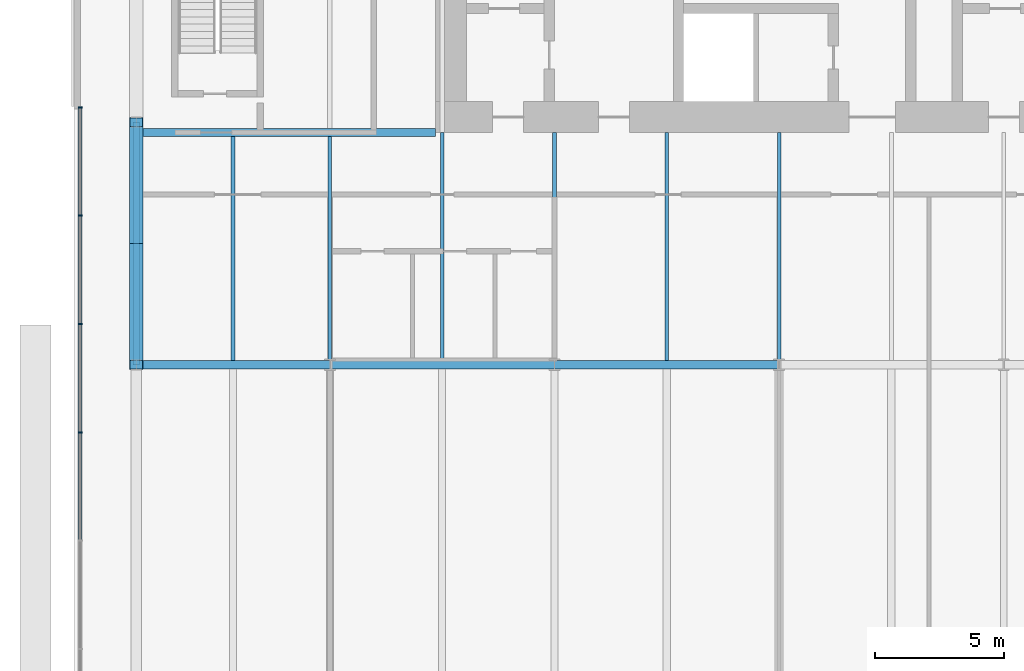
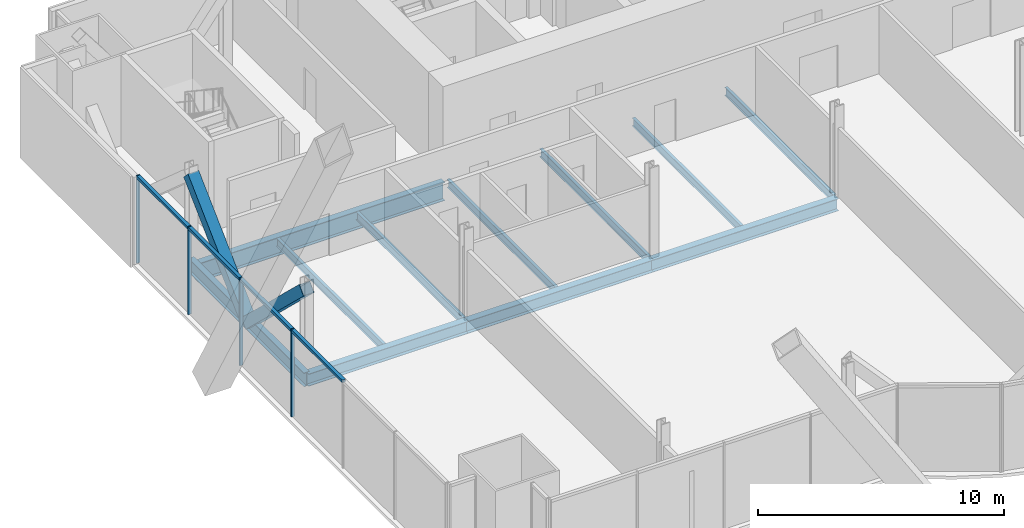
# One storey, part 7 of 23: 11 beams, 10 members, 1 element without a shape of its own.
"""IFC4 building model written with IfcOpenShell, lengths in metres."""

from ifc_helpers import new_model, si_unit, direction, frame, origin, origin_2d, place, context, subcontext, project, spatial, rectangle, hollow_rectangle, i_section, extrude, material, material_profile, profile_set, type_object, element, aggregate, save


model = new_model("IFC4")

# Units and contexts
model_context = context("Model", 3, precision=1e-05, world=origin(), true_north=direction((0.0, 1.0)))
body_context = subcontext(model_context, "Body", "Model", "MODEL_VIEW")
ifc_project = project(units=[si_unit("LENGTHUNIT", "METRE"), si_unit("AREAUNIT", "SQUARE_METRE"), si_unit("VOLUMEUNIT", "CUBIC_METRE"), si_unit("PLANEANGLEUNIT", "RADIAN"), si_unit("MASSUNIT", "GRAM", prefix="KILO")], contexts=[model_context])

# Site, building, storey
site_placement = place(None, origin())
site = spatial("IfcSite", under=ifc_project, at=site_placement, CompositionType="ELEMENT")
building_placement = place(site_placement, origin())
building = spatial("IfcBuilding", under=site, at=building_placement, Name="Bicima Exchange Tower", CompositionType="ELEMENT")
storey_placement = place(building_placement, frame((0.0, 0.0, 62.0)))
storey = spatial("IfcBuildingStorey", under=building, at=storey_placement, Name="L12", CompositionType="ELEMENT", Elevation=62.0)

# Beam
ifc_material_1 = material(Name="Steel ASTM A992 Gr 50", Category="steel")
ifc_material_profile_1 = material_profile(ifc_material_1, i_section(OverallWidth=0.3046875, OverallDepth=0.911865234375, WebThickness=0.015869140625, FlangeThickness=0.02392578125, at=origin_2d()))
ifc_profile_set_1 = profile_set([ifc_material_profile_1], Name="Steel ASTM A992 Gr 50")
beam_type_1 = type_object("IfcBeamType", Name="Core-line girder W36x150", PredefinedType="BEAM", material=ifc_profile_set_1)
beam_1_placement = place(storey_placement, frame((-22.0, -13.0, -0.60595703125), z_axis=(-1.0, 0.0, 0.0), x_axis=(0.0, -1.0, 0.0)))
element("IfcBeam", 1, at=beam_1_placement, inside=storey, type_object=beam_type_1, Name="Core-line girder", PredefinedType="BEAM", context=body_context, shape_type="SweptSolid", body=[
    extrude(i_section(OverallWidth=0.3046875, OverallDepth=0.911865234375, WebThickness=0.015869140625, FlangeThickness=0.02392578125, at=origin_2d()), origin(), (0.0, 0.0, 1.0), 11.60009765625),
])

# Curtain wall, members
ifc_material_2 = material(Name="Anodised bronze aluminium", Category="aluminium")
curtain_wall_type = type_object("IfcCurtainWallType", Name="End face glass wall", PredefinedType="NOTDEFINED", material=ifc_material_2)
curtain_wall_placement = place(storey_placement, origin())
curtain_wall = element("IfcCurtainWall", 2, at=curtain_wall_placement, inside=storey, type_object=curtain_wall_type, Name="End face glass wall L12 run 2", PredefinedType="NOTDEFINED")
ifc_material_profile_2 = material_profile(ifc_material_2, rectangle(XDim=0.159912109375, YDim=0.06005859375, at=origin_2d()))
ifc_profile_set_2 = profile_set([ifc_material_profile_2], Name="Anodised bronze aluminium")
member_type_1 = type_object("IfcMemberType", Name="End face glass wall mullion 60 x 160", PredefinedType="MULLION", material=ifc_profile_set_2)
member_1_placement = place(storey_placement, frame((-35.77001953125, -12.030029296875, 0.0), z_axis=(0.0, 0.0, 1.0), x_axis=(1.0, 0.0, 0.0)))
member_1 = element("IfcMember", 3, at=member_1_placement, type_object=member_type_1, Name="End face glass wall mullion 1", PredefinedType="MULLION", context=body_context, shape_type="SweptSolid", body=[
    extrude(rectangle(XDim=0.159912109375, YDim=0.06005859375, at=origin_2d()), origin(), (0.0, 0.0, 1.0), 4.35009765625),
])
member_2_placement = place(storey_placement, frame((-35.77001953125, -16.224365234375, 0.0), z_axis=(0.0, 0.0, 1.0), x_axis=(1.0, 0.0, 0.0)))
member_2 = element("IfcMember", 4, at=member_2_placement, type_object=member_type_1, Name="End face glass wall mullion 2", PredefinedType="MULLION", context=body_context, shape_type="SweptSolid", body=[
    extrude(rectangle(XDim=0.159912109375, YDim=0.06005859375, at=origin_2d()), origin(), (0.0, 0.0, 1.0), 4.35009765625),
])
member_3_placement = place(storey_placement, frame((-35.77001953125, -20.418701171875, 0.0), z_axis=(0.0, 0.0, 1.0), x_axis=(1.0, 0.0, 0.0)))
member_3 = element("IfcMember", 5, at=member_3_placement, type_object=member_type_1, Name="End face glass wall mullion 3", PredefinedType="MULLION", context=body_context, shape_type="SweptSolid", body=[
    extrude(rectangle(XDim=0.159912109375, YDim=0.06005859375, at=origin_2d()), origin(), (0.0, 0.0, 1.0), 4.35009765625),
])
member_4_placement = place(storey_placement, frame((-35.77001953125, -24.613037109375, 0.0), z_axis=(0.0, 0.0, 1.0), x_axis=(1.0, 0.0, 0.0)))
member_4 = element("IfcMember", 6, at=member_4_placement, type_object=member_type_1, Name="End face glass wall mullion 4", PredefinedType="MULLION", context=body_context, shape_type="SweptSolid", body=[
    extrude(rectangle(XDim=0.159912109375, YDim=0.06005859375, at=origin_2d()), origin(), (0.0, 0.0, 1.0), 4.35009765625),
])
ifc_material_profile_3 = material_profile(ifc_material_2, rectangle(XDim=0.159912109375, YDim=0.139892578125, at=origin_2d()))
ifc_profile_set_3 = profile_set([ifc_material_profile_3], Name="Anodised bronze aluminium")
member_type_2 = type_object("IfcMemberType", Name="End face glass wall transom 140 x 160", PredefinedType="USERDEFINED", material=ifc_profile_set_3)
member_5_placement = place(storey_placement, frame((-35.77001953125, -12.06005859375, 4.280029296875), z_axis=(0.0, -1.0, 0.0), x_axis=(1.0, 0.0, 0.0)))
member_5 = element("IfcMember", 7, at=member_5_placement, type_object=member_type_2, Name="End face glass wall transom 1.1", ObjectType="TRANSOM", PredefinedType="USERDEFINED", context=body_context, shape_type="SweptSolid", body=[
    extrude(rectangle(XDim=0.159912109375, YDim=0.139892578125, at=origin_2d()), origin(), (0.0, 0.0, 1.0), 4.13427734375),
])
member_6_placement = place(storey_placement, frame((-35.77001953125, -16.25439453125, 4.280029296875), z_axis=(0.0, -1.0, 0.0), x_axis=(1.0, 0.0, 0.0)))
member_6 = element("IfcMember", 8, at=member_6_placement, type_object=member_type_2, Name="End face glass wall transom 2.1", ObjectType="TRANSOM", PredefinedType="USERDEFINED", context=body_context, shape_type="SweptSolid", body=[
    extrude(rectangle(XDim=0.159912109375, YDim=0.139892578125, at=origin_2d()), origin(), (0.0, 0.0, 1.0), 4.13427734375),
])
member_7_placement = place(storey_placement, frame((-35.77001953125, -20.44873046875, 4.280029296875), z_axis=(0.0, -1.0, 0.0), x_axis=(1.0, 0.0, 0.0)))
member_7 = element("IfcMember", 9, at=member_7_placement, type_object=member_type_2, Name="End face glass wall transom 3.1", ObjectType="TRANSOM", PredefinedType="USERDEFINED", context=body_context, shape_type="SweptSolid", body=[
    extrude(rectangle(XDim=0.159912109375, YDim=0.139892578125, at=origin_2d()), origin(), (0.0, 0.0, 1.0), 4.13427734375),
])
member_8_placement = place(storey_placement, frame((-35.77001953125, -24.64306640625, 4.280029296875), z_axis=(0.0, -1.0, 0.0), x_axis=(1.0, 0.0, 0.0)))
member_8 = element("IfcMember", 10, at=member_8_placement, type_object=member_type_2, Name="End face glass wall transom 4.1", ObjectType="TRANSOM", PredefinedType="USERDEFINED", context=body_context, shape_type="SweptSolid", body=[
    extrude(rectangle(XDim=0.159912109375, YDim=0.139892578125, at=origin_2d()), origin(), (0.0, 0.0, 1.0), 4.13427734375),
])
aggregate(curtain_wall, [member_1, member_2, member_3, member_4, member_5, member_6, member_7, member_8])

# Beams
ifc_material_profile_4 = material_profile(ifc_material_1, i_section(OverallWidth=0.256591796875, OverallDepth=0.693359375, WebThickness=0.014404296875, FlangeThickness=0.023681640625, at=origin_2d()))
ifc_profile_set_4 = profile_set([ifc_material_profile_4], Name="Steel ASTM A992 Gr 50")
beam_type_2 = type_object("IfcBeamType", Name="End girder W27x114", PredefinedType="BEAM", material=ifc_profile_set_4)
beam_2_placement = place(storey_placement, frame((-33.60009765625, -12.60009765625, -0.49658203125), z_axis=(0.0, -1.0, 0.0), x_axis=(1.0, 0.0, 0.0)))
element("IfcBeam", 11, at=beam_2_placement, inside=storey, type_object=beam_type_2, Name="End girder", PredefinedType="BEAM", context=body_context, shape_type="SweptSolid", body=[
    extrude(i_section(OverallWidth=0.256591796875, OverallDepth=0.693359375, WebThickness=0.014404296875, FlangeThickness=0.023681640625, at=origin_2d()), origin(), (0.0, 0.0, 1.0), 9.39990234375),
])
ifc_material_profile_5 = material_profile(ifc_material_1, i_section(OverallWidth=0.140380859375, OverallDepth=0.40380859375, WebThickness=0.007080078125, FlangeThickness=0.01123046875, at=origin_2d()))
ifc_profile_set_5 = profile_set([ifc_material_profile_5], Name="Steel ASTM A992 Gr 50")
beam_type_3 = type_object("IfcBeamType", Name="Floor beam W16x31", PredefinedType="JOIST", material=ifc_profile_set_5)
for number, where, z_axis, x_axis, name in (
    (12, (-29.85009765625, -13.15234375, -0.351806640625), (0.0, -1.0, 0.0), (1.0, 0.0, 0.0), "Floor beam"),
    (13, (-26.10009765625, -13.15234375, -0.351806640625), (0.0, -1.0, 0.0), (1.0, 0.0, 0.0), "Floor beam"),
):
    element("IfcBeam", number, at=place(storey_placement, frame(where, z_axis=z_axis, x_axis=x_axis)), inside=storey, type_object=beam_type_3, Name=name, PredefinedType="JOIST", context=body_context, shape_type="SweptSolid", body=[
        extrude(i_section(OverallWidth=0.140380859375, OverallDepth=0.40380859375, WebThickness=0.007080078125, FlangeThickness=0.01123046875, at=origin_2d()), origin(), (0.0, 0.0, 1.0), 8.68505859375),
    ])
for number, where, z_axis, x_axis, name in (
    (14, (-21.75, -13.0, -0.351806640625), (0.0, -1.0, 0.0), (1.0, 0.0, 0.0), "Floor beam"),
    (15, (-17.39990234375, -13.0, -0.351806640625), (0.0, -1.0, 0.0), (1.0, 0.0, 0.0), "Floor beam"),
    (16, (-13.050048828125, -13.0, -0.351806640625), (0.0, -1.0, 0.0), (1.0, 0.0, 0.0), "Floor beam"),
    (17, (-8.699951171875, -13.0, -0.351806640625), (0.0, -1.0, 0.0), (1.0, 0.0, 0.0), "Floor beam"),
):
    element("IfcBeam", number, at=place(storey_placement, frame(where, z_axis=z_axis, x_axis=x_axis)), inside=storey, type_object=beam_type_3, Name=name, PredefinedType="JOIST", context=body_context, shape_type="SweptSolid", body=[
        extrude(i_section(OverallWidth=0.140380859375, OverallDepth=0.40380859375, WebThickness=0.007080078125, FlangeThickness=0.01123046875, at=origin_2d()), origin(), (0.0, 0.0, 1.0), 8.83740234375),
    ])

# Members
ifc_material_3 = material(Name="Steel ASTM A572 Gr 50", Category="steel")
ifc_material_profile_6 = material_profile(ifc_material_3, hollow_rectangle(XDim=0.508056640625, YDim=0.508056640625, WallThickness=0.017822265625, at=origin_2d()))
ifc_profile_set_6 = profile_set([ifc_material_profile_6], Name="Steel ASTM A572 Gr 50")
member_type_3 = type_object("IfcMemberType", Name="Mega brace HSS20x20x3/4", PredefinedType="BRACE", material=ifc_profile_set_6)
for number, where, z_axis, x_axis, name in (
    (18, (-33.60009765625, -17.300048828125, -0.49658203125), (0.0, -0.722304421208, 0.691575247608), (1.0, 0.0, 0.0), "Mega brace west end"),
    (19, (-33.60009765625, -17.300048828125, -0.49658203125), (0.0, 0.722304421208, 0.691575247608), (-1.0, 0.0, 0.0), "Mega brace west end"),
):
    element("IfcMember", number, at=place(storey_placement, frame(where, z_axis=z_axis, x_axis=x_axis)), inside=storey, type_object=member_type_3, Name=name, PredefinedType="BRACE", context=body_context, shape_type="SweptSolid", body=[
        extrude(hollow_rectangle(XDim=0.508056640625, YDim=0.508056640625, WallThickness=0.017822265625, at=origin_2d()), origin(), (0.0, 0.0, 1.0), 6.5068359375),
    ])

# Beams
ifc_material_profile_7 = material_profile(ifc_material_1, i_section(OverallWidth=0.3251953125, OverallDepth=0.612060546875, WebThickness=0.0126953125, FlangeThickness=0.01904296875, at=origin_2d()))
ifc_profile_set_7 = profile_set([ifc_material_profile_7], Name="Steel ASTM A992 Gr 50")
beam_type_4 = type_object("IfcBeamType", Name="Row girder W24x104", PredefinedType="BEAM", material=ifc_profile_set_7)
beam_3_placement = place(storey_placement, frame((-33.60009765625, -22.0, -0.4560546875), z_axis=(1.0, 0.0, 0.0), x_axis=(0.0, 1.0, 0.0)))
element("IfcBeam", 20, at=beam_3_placement, inside=storey, type_object=beam_type_4, Name="Row girder", PredefinedType="BEAM", context=body_context, shape_type="SweptSolid", body=[
    extrude(i_section(OverallWidth=0.3251953125, OverallDepth=0.612060546875, WebThickness=0.0126953125, FlangeThickness=0.01904296875, at=origin_2d()), origin(), (0.0, 0.0, 1.0), 7.5),
])
beam_4_placement = place(storey_placement, frame((-26.10009765625, -22.0, -0.4560546875), z_axis=(1.0, 0.0, 0.0), x_axis=(0.0, 1.0, 0.0)))
element("IfcBeam", 21, at=beam_4_placement, inside=storey, type_object=beam_type_4, Name="Row girder", PredefinedType="BEAM", context=body_context, shape_type="SweptSolid", body=[
    extrude(i_section(OverallWidth=0.3251953125, OverallDepth=0.612060546875, WebThickness=0.0126953125, FlangeThickness=0.01904296875, at=origin_2d()), origin(), (0.0, 0.0, 1.0), 8.7001953125),
])
beam_5_placement = place(storey_placement, frame((-17.39990234375, -22.0, -0.4560546875), z_axis=(1.0, 0.0, 0.0), x_axis=(0.0, 1.0, 0.0)))
element("IfcBeam", 22, at=beam_5_placement, inside=storey, type_object=beam_type_4, Name="Row girder", PredefinedType="BEAM", context=body_context, shape_type="SweptSolid", body=[
    extrude(i_section(OverallWidth=0.3251953125, OverallDepth=0.612060546875, WebThickness=0.0126953125, FlangeThickness=0.01904296875, at=origin_2d()), origin(), (0.0, 0.0, 1.0), 8.699951171875),
])

save(model, "model.ifc")
